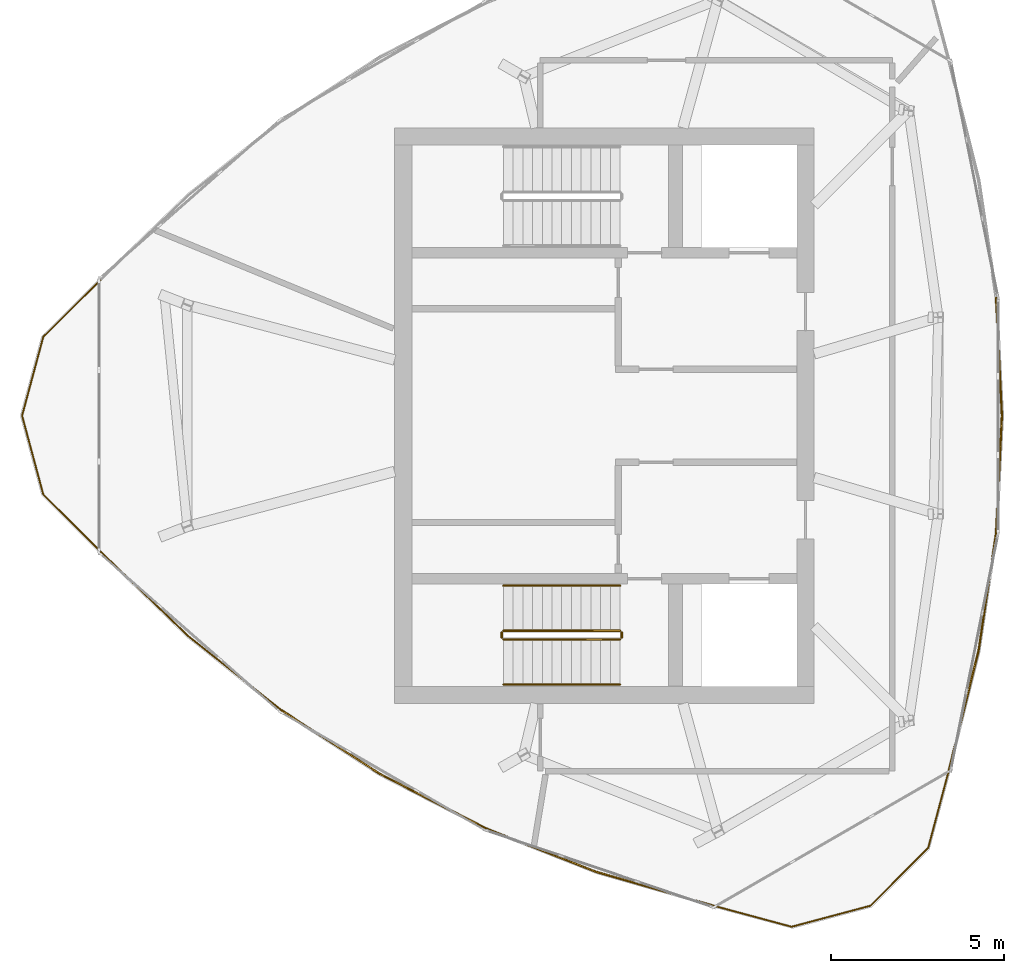
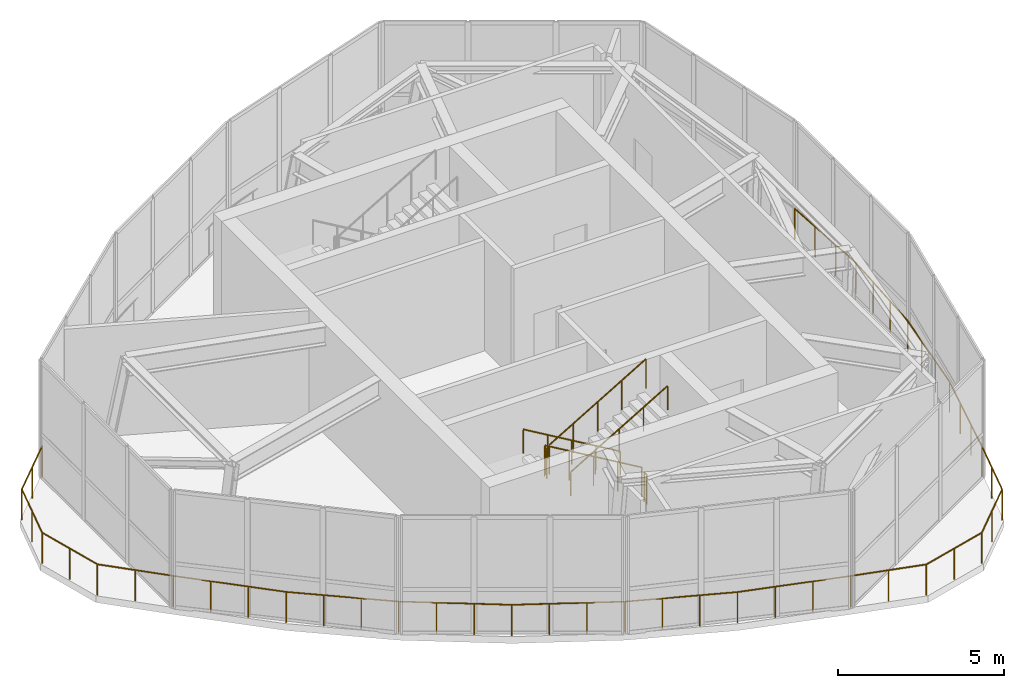
# One storey, part 8 of 9: 13 railings.
"""IFC4 building model written with IfcOpenShell, lengths in metres."""

from ifc_helpers import new_model, si_unit, direction, frame, origin, origin_2d, place, context, subcontext, project, spatial, circle, extrude, source, transform, mapped, material, type_object, element, save


model = new_model("IFC4")

# Units and contexts
model_context = context("Model", 3, precision=1e-05, world=origin(), true_north=direction((0.0, 1.0)))
body_context = subcontext(model_context, "Body", "Model", "MODEL_VIEW")
ifc_project = project(units=[si_unit("LENGTHUNIT", "METRE"), si_unit("AREAUNIT", "SQUARE_METRE"), si_unit("VOLUMEUNIT", "CUBIC_METRE"), si_unit("PLANEANGLEUNIT", "RADIAN"), si_unit("MASSUNIT", "GRAM", prefix="KILO")], contexts=[model_context])

# Site, building, storey
site_placement = place(None, origin())
site = spatial("IfcSite", under=ifc_project, at=site_placement, CompositionType="ELEMENT")
building_placement = place(site_placement, origin())
building = spatial("IfcBuilding", under=site, at=building_placement, Name="Qafzar Sky-Pleat Residences", CompositionType="ELEMENT")
storey_placement = place(building_placement, frame((0.0, 0.0, 266.10009765625)))
storey = spatial("IfcBuildingStorey", under=building, at=storey_placement, Name="L79 Crown", CompositionType="ELEMENT", Elevation=266.10009765625)

# Railings
ifc_material_1 = material(Name="Galvanised and bronze-coated Steel S355 guardrail", Category="steel")
railing_type_1 = type_object("IfcRailingType", Name="RAIL-EXT-1150", PredefinedType="GUARDRAIL", material=ifc_material_1)
shared_shape_1 = source(origin(), body_context, "Body", "SweptSolid", [
    extrude(circle(Radius=0.02392578125, at=origin_2d()), frame((0.0, 0.0, 1.1259765625), z_axis=(-0.708505398598, -0.7057053919, 0.0), x_axis=(0.7057053919, -0.708505398598, 0.0)), (0.0, 0.0, 1.0), 2.354248046875),
    extrude(circle(Radius=0.02392578125, at=origin_2d()), frame((-1.66796875, -1.661376953125, 1.1259765625), z_axis=(-0.25949696957, -0.96574392195, 0.0), x_axis=(0.96574392195, -0.25949696957, 0.0)), (0.0, 0.0, 1.0), 2.35205078125),
    extrude(circle(Radius=0.02392578125, at=origin_2d()), frame((-2.2783203125, -3.932861328125, 1.1259765625), z_axis=(0.25949696957, -0.96574392195, 0.0), x_axis=(0.96574392195, 0.25949696957, 0.0)), (0.0, 0.0, 1.0), 2.35205078125),
    extrude(circle(Radius=0.02392578125, at=origin_2d()), frame((-1.66796875, -6.204345703125, 1.1259765625), z_axis=(0.708505398598, -0.7057053919, 0.0), x_axis=(0.7057053919, 0.708505398598, 0.0)), (0.0, 0.0, 1.0), 2.354248046875),
    extrude(circle(Radius=0.02099609375, at=origin_2d()), origin(), (0.0, 0.0, 1.0), 1.101806640625),
    extrude(circle(Radius=0.02099609375, at=origin_2d()), frame((-0.833984375, -0.83056640625, 0.0)), (0.0, 0.0, 1.0), 1.101806640625),
    extrude(circle(Radius=0.02099609375, at=origin_2d()), frame((-1.66796875, -1.661376953125, 0.0)), (0.0, 0.0, 1.0), 1.101806640625),
    extrude(circle(Radius=0.02099609375, at=origin_2d()), frame((-1.97314453125, -2.797119140625, 0.0)), (0.0, 0.0, 1.0), 1.101806640625),
    extrude(circle(Radius=0.02099609375, at=origin_2d()), frame((-2.2783203125, -3.932861328125, 0.0)), (0.0, 0.0, 1.0), 1.101806640625),
    extrude(circle(Radius=0.02099609375, at=origin_2d()), frame((-1.97314453125, -5.068603515625, 0.0)), (0.0, 0.0, 1.0), 1.101806640625),
    extrude(circle(Radius=0.02099609375, at=origin_2d()), frame((-1.66796875, -6.204345703125, 0.0)), (0.0, 0.0, 1.0), 1.101806640625),
    extrude(circle(Radius=0.02099609375, at=origin_2d()), frame((-0.833984375, -7.03515625, 0.0)), (0.0, 0.0, 1.0), 1.101806640625),
    extrude(circle(Radius=0.02099609375, at=origin_2d()), frame((0.0, -7.86572265625, 0.0)), (0.0, 0.0, 1.0), 1.101806640625),
])
railing_1_placement = place(storey_placement, frame((15.841064453125, 29.932861328125, 0.0)))
element("IfcRailing", 1, at=railing_1_placement, inside=storey, type_object=railing_type_1, Name="L79 Crown Corner Maintenance Guardrail 1", PredefinedType="GUARDRAIL", context=body_context, shape_type="MappedRepresentation", body=[
    mapped(shared_shape_1, transform((0.0, 0.0, 0.0), x_axis=(1.0, 0.0, 0.0), y_axis=(0.0, 1.0, 0.0), z_axis=(0.0, 0.0, 1.0), scale=1.0)),
])
shared_shape_2 = source(origin(), body_context, "Body", "SweptSolid", [
    extrude(circle(Radius=0.02392578125, at=origin_2d()), frame((0.0, 0.0, 1.1259765625), z_axis=(0.720037312382, -0.693935349134, 0.0), x_axis=(0.693935349134, 0.720037312382, 0.0)), (0.0, 0.0, 1.0), 3.498046875),
    extrude(circle(Radius=0.02392578125, at=origin_2d()), frame((2.518798828125, -2.427490234375, 1.1259765625), z_axis=(0.78278945706, -0.622286642887, 0.0), x_axis=(0.622286642887, 0.78278945706, 0.0)), (0.0, 0.0, 1.0), 3.428466796875),
    extrude(circle(Radius=0.02099609375, at=origin_2d()), origin(), (0.0, 0.0, 1.0), 1.101806640625),
    extrude(circle(Radius=0.02099609375, at=origin_2d()), frame((0.839599609375, -0.80908203125, 0.0)), (0.0, 0.0, 1.0), 1.101806640625),
    extrude(circle(Radius=0.02099609375, at=origin_2d()), frame((1.67919921875, -1.618408203125, 0.0)), (0.0, 0.0, 1.0), 1.101806640625),
    extrude(circle(Radius=0.02099609375, at=origin_2d()), frame((2.518798828125, -2.427490234375, 0.0)), (0.0, 0.0, 1.0), 1.101806640625),
    extrude(circle(Radius=0.02099609375, at=origin_2d()), frame((3.413330078125, -3.138671875, 0.0)), (0.0, 0.0, 1.0), 1.101806640625),
    extrude(circle(Radius=0.02099609375, at=origin_2d()), frame((4.30810546875, -3.849853515625, 0.0)), (0.0, 0.0, 1.0), 1.101806640625),
    extrude(circle(Radius=0.02099609375, at=origin_2d()), frame((5.20263671875, -4.56103515625, 0.0)), (0.0, 0.0, 1.0), 1.101806640625),
])
railing_2_placement = place(storey_placement, frame((15.841064453125, 22.067138671875, 0.0)))
element("IfcRailing", 2, at=railing_2_placement, inside=storey, type_object=railing_type_1, Name="L79 Crown Corner Maintenance Guardrail 2", PredefinedType="GUARDRAIL", context=body_context, shape_type="MappedRepresentation", body=[
    mapped(shared_shape_2, transform((0.0, 0.0, 0.0), x_axis=(1.0, 0.0, 0.0), y_axis=(0.0, 1.0, 0.0), z_axis=(0.0, 0.0, 1.0), scale=1.0)),
])
shared_shape_3 = source(origin(), body_context, "Body", "SweptSolid", [
    extrude(circle(Radius=0.02392578125, at=origin_2d()), frame((0.0, 0.0, 1.1259765625), z_axis=(0.839867229663, -0.542791890634, 0.0), x_axis=(0.542791890634, 0.839867229663, 0.0)), (0.0, 0.0, 1.0), 3.39404296875),
    extrude(circle(Radius=0.02392578125, at=origin_2d()), frame((2.8505859375, -1.84228515625, 1.1259765625), z_axis=(0.889352953886, -0.457221306824, 0.0), x_axis=(0.457221306824, 0.889352953886, 0.0)), (0.0, 0.0, 1.0), 3.39599609375),
    extrude(circle(Radius=0.02099609375, at=origin_2d()), origin(), (0.0, 0.0, 1.0), 1.101806640625),
    extrude(circle(Radius=0.02099609375, at=origin_2d()), frame((0.9501953125, -0.614013671875, 0.0)), (0.0, 0.0, 1.0), 1.101806640625),
    extrude(circle(Radius=0.02099609375, at=origin_2d()), frame((1.900390625, -1.228271484375, 0.0)), (0.0, 0.0, 1.0), 1.101806640625),
    extrude(circle(Radius=0.02099609375, at=origin_2d()), frame((2.8505859375, -1.84228515625, 0.0)), (0.0, 0.0, 1.0), 1.101806640625),
    extrude(circle(Radius=0.02099609375, at=origin_2d()), frame((3.857421875, -2.35986328125, 0.0)), (0.0, 0.0, 1.0), 1.101806640625),
    extrude(circle(Radius=0.02099609375, at=origin_2d()), frame((4.864013671875, -2.87744140625, 0.0)), (0.0, 0.0, 1.0), 1.101806640625),
    extrude(circle(Radius=0.02099609375, at=origin_2d()), frame((5.870849609375, -3.39501953125, 0.0)), (0.0, 0.0, 1.0), 1.101806640625),
])
railing_3_placement = place(storey_placement, frame((21.043701171875, 17.506103515625, 0.0)))
element("IfcRailing", 3, at=railing_3_placement, inside=storey, type_object=railing_type_1, Name="L79 Crown Corner Maintenance Guardrail 3", PredefinedType="GUARDRAIL", context=body_context, shape_type="MappedRepresentation", body=[
    mapped(shared_shape_3, transform((0.0, 0.0, 0.0), x_axis=(1.0, 0.0, 0.0), y_axis=(0.0, 1.0, 0.0), z_axis=(0.0, 0.0, 1.0), scale=1.0)),
])
shared_shape_4 = source(origin(), body_context, "Body", "SweptSolid", [
    extrude(circle(Radius=0.02392578125, at=origin_2d()), frame((0.0, 0.0, 1.1259765625), z_axis=(0.929965244454, -0.367647445398, 0.0), x_axis=(0.367647445398, 0.929965244454, 0.0)), (0.0, 0.0, 1.0), 3.4326171875),
    extrude(circle(Radius=0.02392578125, at=origin_2d()), frame((3.192138671875, -1.261962890625, 1.1259765625), z_axis=(0.960929895906, -0.276791862516, 0.0), x_axis=(0.276791862516, 0.960929895906, 0.0)), (0.0, 0.0, 1.0), 3.502685546875),
    extrude(circle(Radius=0.02099609375, at=origin_2d()), origin(), (0.0, 0.0, 1.0), 1.101806640625),
    extrude(circle(Radius=0.02099609375, at=origin_2d()), frame((1.06396484375, -0.420654296875, 0.0)), (0.0, 0.0, 1.0), 1.101806640625),
    extrude(circle(Radius=0.02099609375, at=origin_2d()), frame((2.128173828125, -0.84130859375, 0.0)), (0.0, 0.0, 1.0), 1.101806640625),
    extrude(circle(Radius=0.02099609375, at=origin_2d()), frame((3.192138671875, -1.261962890625, 0.0)), (0.0, 0.0, 1.0), 1.101806640625),
    extrude(circle(Radius=0.02099609375, at=origin_2d()), frame((4.31396484375, -1.585205078125, 0.0)), (0.0, 0.0, 1.0), 1.101806640625),
    extrude(circle(Radius=0.02099609375, at=origin_2d()), frame((5.43603515625, -1.908203125, 0.0)), (0.0, 0.0, 1.0), 1.101806640625),
    extrude(circle(Radius=0.02099609375, at=origin_2d()), frame((6.557861328125, -2.2314453125, 0.0)), (0.0, 0.0, 1.0), 1.101806640625),
])
railing_4_placement = place(storey_placement, frame((26.91455078125, 14.111083984375, 0.0)))
element("IfcRailing", 4, at=railing_4_placement, inside=storey, type_object=railing_type_1, Name="L79 Crown Corner Maintenance Guardrail 4", PredefinedType="GUARDRAIL", context=body_context, shape_type="MappedRepresentation", body=[
    mapped(shared_shape_4, transform((0.0, 0.0, 0.0), x_axis=(1.0, 0.0, 0.0), y_axis=(0.0, 1.0, 0.0), z_axis=(0.0, 0.0, 1.0), scale=1.0)),
])
shared_shape_5 = source(origin(), body_context, "Body", "SweptSolid", [
    extrude(circle(Radius=0.02392578125, at=origin_2d()), frame((0.0, 0.0, 1.1259765625), z_axis=(0.965451502864, -0.260582799925, 0.0), x_axis=(0.260582799925, 0.965451502864, 0.0)), (0.0, 0.0, 1.0), 2.356201171875),
    extrude(circle(Radius=0.02392578125, at=origin_2d()), frame((2.27490234375, -0.614013671875, 1.1259765625), z_axis=(0.966171227212, 0.25790145348, 0.0), x_axis=(-0.25790145348, 0.966171227212, 0.0)), (0.0, 0.0, 1.0), 2.354248046875),
    extrude(circle(Radius=0.02392578125, at=origin_2d()), frame((4.549560546875, -0.0068359375, 1.1259765625), z_axis=(0.706899296816, 0.707314204694, 0.0), x_axis=(-0.707314204694, 0.706899296816, 0.0)), (0.0, 0.0, 1.0), 2.353759765625),
    extrude(circle(Radius=0.02392578125, at=origin_2d()), frame((6.21337890625, 1.657958984375, 1.1259765625), z_axis=(0.257288416688, 0.966334657682, 0.0), x_axis=(-0.966334657682, 0.257288416688, 0.0)), (0.0, 0.0, 1.0), 2.355224609375),
    extrude(circle(Radius=0.02099609375, at=origin_2d()), origin(), (0.0, 0.0, 1.0), 1.101806640625),
    extrude(circle(Radius=0.02099609375, at=origin_2d()), frame((1.137451171875, -0.30712890625, 0.0)), (0.0, 0.0, 1.0), 1.101806640625),
    extrude(circle(Radius=0.02099609375, at=origin_2d()), frame((2.27490234375, -0.614013671875, 0.0)), (0.0, 0.0, 1.0), 1.101806640625),
    extrude(circle(Radius=0.02099609375, at=origin_2d()), frame((3.412109375, -0.310546875, 0.0)), (0.0, 0.0, 1.0), 1.101806640625),
    extrude(circle(Radius=0.02099609375, at=origin_2d()), frame((4.549560546875, -0.0068359375, 0.0)), (0.0, 0.0, 1.0), 1.101806640625),
    extrude(circle(Radius=0.02099609375, at=origin_2d()), frame((5.38134765625, 0.82568359375, 0.0)), (0.0, 0.0, 1.0), 1.101806640625),
    extrude(circle(Radius=0.02099609375, at=origin_2d()), frame((6.21337890625, 1.657958984375, 0.0)), (0.0, 0.0, 1.0), 1.101806640625),
    extrude(circle(Radius=0.02099609375, at=origin_2d()), frame((6.516357421875, 2.7958984375, 0.0)), (0.0, 0.0, 1.0), 1.101806640625),
    extrude(circle(Radius=0.02099609375, at=origin_2d()), frame((6.8193359375, 3.933837890625, 0.0)), (0.0, 0.0, 1.0), 1.101806640625),
])
railing_5_placement = place(storey_placement, frame((33.472412109375, 11.879638671875, 0.0)))
element("IfcRailing", 5, at=railing_5_placement, inside=storey, type_object=railing_type_1, Name="L79 Crown Corner Maintenance Guardrail 5", PredefinedType="GUARDRAIL", context=body_context, shape_type="MappedRepresentation", body=[
    mapped(shared_shape_5, transform((0.0, 0.0, 0.0), x_axis=(1.0, 0.0, 0.0), y_axis=(0.0, 1.0, 0.0), z_axis=(0.0, 0.0, 1.0), scale=1.0)),
])
shared_shape_6 = source(origin(), body_context, "Body", "SweptSolid", [
    extrude(circle(Radius=0.02392578125, at=origin_2d()), frame((0.0, 0.0, 1.1259765625), z_axis=(0.241354046334, 0.970437130534, 0.0), x_axis=(-0.970437130534, 0.241354046334, 0.0)), (0.0, 0.0, 1.0), 3.5009765625),
    extrude(circle(Radius=0.02392578125, at=origin_2d()), frame((0.844970703125, 3.3974609375, 1.1259765625), z_axis=(0.147502265251, 0.989061717865, 0.0), x_axis=(-0.989061717865, 0.147502265251, 0.0)), (0.0, 0.0, 1.0), 3.432861328125),
    extrude(circle(Radius=0.02099609375, at=origin_2d()), origin(), (0.0, 0.0, 1.0), 1.101806640625),
    extrude(circle(Radius=0.02099609375, at=origin_2d()), frame((0.28173828125, 1.132568359375, 0.0)), (0.0, 0.0, 1.0), 1.101806640625),
    extrude(circle(Radius=0.02099609375, at=origin_2d()), frame((0.563232421875, 2.264892578125, 0.0)), (0.0, 0.0, 1.0), 1.101806640625),
    extrude(circle(Radius=0.02099609375, at=origin_2d()), frame((0.844970703125, 3.3974609375, 0.0)), (0.0, 0.0, 1.0), 1.101806640625),
    extrude(circle(Radius=0.02099609375, at=origin_2d()), frame((1.013671875, 4.529296875, 0.0)), (0.0, 0.0, 1.0), 1.101806640625),
    extrude(circle(Radius=0.02099609375, at=origin_2d()), frame((1.1826171875, 5.660888671875, 0.0)), (0.0, 0.0, 1.0), 1.101806640625),
    extrude(circle(Radius=0.02099609375, at=origin_2d()), frame((1.351318359375, 6.792724609375, 0.0)), (0.0, 0.0, 1.0), 1.101806640625),
])
railing_6_placement = place(storey_placement, frame((40.291748046875, 15.8134765625, 0.0)))
element("IfcRailing", 6, at=railing_6_placement, inside=storey, type_object=railing_type_1, Name="L79 Crown Corner Maintenance Guardrail 6", PredefinedType="GUARDRAIL", context=body_context, shape_type="MappedRepresentation", body=[
    mapped(shared_shape_6, transform((0.0, 0.0, 0.0), x_axis=(1.0, 0.0, 0.0), y_axis=(0.0, 1.0, 0.0), z_axis=(0.0, 0.0, 1.0), scale=1.0)),
])
shared_shape_7 = source(origin(), body_context, "Body", "SweptSolid", [
    extrude(circle(Radius=0.02392578125, at=origin_2d()), frame((0.0, 0.0, 1.1259765625), z_axis=(0.049647353826, 0.99876680975, 0.0), x_axis=(-0.99876680975, 0.049647353826, 0.0)), (0.0, 0.0, 1.0), 3.39794921875),
    extrude(circle(Radius=0.02392578125, at=origin_2d()), frame((0.168701171875, 3.393798828125, 1.1259765625), z_axis=(-0.049647353826, 0.99876680975, 0.0), x_axis=(-0.99876680975, -0.049647353826, 0.0)), (0.0, 0.0, 1.0), 3.39794921875),
    extrude(circle(Radius=0.02099609375, at=origin_2d()), origin(), (0.0, 0.0, 1.0), 1.101806640625),
    extrude(circle(Radius=0.02099609375, at=origin_2d()), frame((0.05615234375, 1.13134765625, 0.0)), (0.0, 0.0, 1.0), 1.101806640625),
    extrude(circle(Radius=0.02099609375, at=origin_2d()), frame((0.112548828125, 2.262451171875, 0.0)), (0.0, 0.0, 1.0), 1.101806640625),
    extrude(circle(Radius=0.02099609375, at=origin_2d()), frame((0.168701171875, 3.393798828125, 0.0)), (0.0, 0.0, 1.0), 1.101806640625),
    extrude(circle(Radius=0.02099609375, at=origin_2d()), frame((0.112548828125, 4.525146484375, 0.0)), (0.0, 0.0, 1.0), 1.101806640625),
    extrude(circle(Radius=0.02099609375, at=origin_2d()), frame((0.05615234375, 5.65625, 0.0)), (0.0, 0.0, 1.0), 1.101806640625),
    extrude(circle(Radius=0.02099609375, at=origin_2d()), frame((0.0, 6.78759765625, 0.0)), (0.0, 0.0, 1.0), 1.101806640625),
])
railing_7_placement = place(storey_placement, frame((41.64306640625, 22.606201171875, 0.0)))
element("IfcRailing", 7, at=railing_7_placement, inside=storey, type_object=railing_type_1, Name="L79 Crown Corner Maintenance Guardrail 7", PredefinedType="GUARDRAIL", context=body_context, shape_type="MappedRepresentation", body=[
    mapped(shared_shape_7, transform((0.0, 0.0, 0.0), x_axis=(1.0, 0.0, 0.0), y_axis=(0.0, 1.0, 0.0), z_axis=(0.0, 0.0, 1.0), scale=1.0)),
])
ifc_material_2 = material(Name="Painted Steel S355 stair guardrail", Category="steel")
railing_type_2 = type_object("IfcRailingType", Name="RAIL-STAIR-GUARD", PredefinedType="GUARDRAIL", material=ifc_material_2)
shared_shape_8 = source(origin(), body_context, "Body", "SweptSolid", [
    extrude(circle(Radius=0.02392578125, at=origin_2d()), frame((0.0, 0.0, 1.076171875), z_axis=(0.0, -1.0, 0.0), x_axis=(1.0, 0.0, 0.0)), (0.0, 0.0, 1.0), 0.14990234375),
    extrude(circle(Radius=0.02099609375, at=origin_2d()), origin(), (0.0, 0.0, 1.0), 1.052001953125),
    extrude(circle(Radius=0.02099609375, at=origin_2d()), frame((0.0, -0.14990234375, 0.0)), (0.0, 0.0, 1.0), 1.052001953125),
])
for number, where, name in (
    (8, (27.389892578125, 19.75, 2.14990234375), "L79 Crown ST1 stair guard 2"),
    (9, (30.85009765625, 19.75, 0.0), "L79 Crown ST1 stair guard 4"),
):
    element("IfcRailing", number, at=place(storey_placement, frame(where)), inside=storey, type_object=railing_type_2, Name=name, PredefinedType="GUARDRAIL", context=body_context, shape_type="MappedRepresentation", body=[
        mapped(shared_shape_8, transform((0.0, 0.0, 0.0), x_axis=(1.0, 0.0, 0.0), y_axis=(0.0, 1.0, 0.0), z_axis=(0.0, 0.0, 1.0), scale=1.0)),
    ])
shared_shape_9 = source(origin(), body_context, "Body", "SweptSolid", [
    extrude(circle(Radius=0.02392578125, at=origin_2d()), frame((0.0, 0.0, 1.076171875), z_axis=(-0.861027394533, 0.0, 0.50855857663), x_axis=(0.0, -1.0, 0.0)), (0.0, 0.0, 1.0), 3.90234375),
    extrude(circle(Radius=0.02099609375, at=origin_2d()), origin(), (0.0, 0.0, 1.0), 1.052001953125),
    extrude(circle(Radius=0.02099609375, at=origin_2d()), frame((-0.840087890625, 0.0, 0.49609375)), (0.0, 0.0, 1.0), 1.052001953125),
    extrude(circle(Radius=0.02099609375, at=origin_2d()), frame((-1.68017578125, 0.0, 0.9921875)), (0.0, 0.0, 1.0), 1.052001953125),
    extrude(circle(Radius=0.02099609375, at=origin_2d()), frame((-2.52001953125, 0.0, 1.488525390625)), (0.0, 0.0, 1.0), 1.052001953125),
    extrude(circle(Radius=0.02099609375, at=origin_2d()), frame((-3.360107421875, 0.0, 1.984619140625)), (0.0, 0.0, 1.0), 1.052001953125),
])
railing_8_placement = place(storey_placement, frame((30.800048828125, 19.800048828125, 0.165283203125)))
element("IfcRailing", 10, at=railing_8_placement, inside=storey, type_object=railing_type_2, Name="L79 Crown ST1 stair guard 1", PredefinedType="GUARDRAIL", context=body_context, shape_type="MappedRepresentation", body=[
    mapped(shared_shape_9, transform((0.0, 0.0, 0.0), x_axis=(1.0, 0.0, 0.0), y_axis=(0.0, 1.0, 0.0), z_axis=(0.0, 0.0, 1.0), scale=1.0)),
])
shared_shape_10 = source(origin(), body_context, "Body", "SweptSolid", [
    extrude(circle(Radius=0.02392578125, at=origin_2d()), frame((0.0, 0.0, 1.076171875), z_axis=(0.861027394533, 0.0, 0.50855857663), x_axis=(0.0, 1.0, 0.0)), (0.0, 0.0, 1.0), 3.90234375),
    extrude(circle(Radius=0.02099609375, at=origin_2d()), origin(), (0.0, 0.0, 1.0), 1.052001953125),
    extrude(circle(Radius=0.02099609375, at=origin_2d()), frame((0.840087890625, 0.0, 0.49609375)), (0.0, 0.0, 1.0), 1.052001953125),
    extrude(circle(Radius=0.02099609375, at=origin_2d()), frame((1.68017578125, 0.0, 0.9921875)), (0.0, 0.0, 1.0), 1.052001953125),
    extrude(circle(Radius=0.02099609375, at=origin_2d()), frame((2.52001953125, 0.0, 1.488525390625)), (0.0, 0.0, 1.0), 1.052001953125),
    extrude(circle(Radius=0.02099609375, at=origin_2d()), frame((3.360107421875, 0.0, 1.984619140625)), (0.0, 0.0, 1.0), 1.052001953125),
])
railing_9_placement = place(storey_placement, frame((27.43994140625, 19.550048828125, 2.315185546875)))
element("IfcRailing", 11, at=railing_9_placement, inside=storey, type_object=railing_type_2, Name="L79 Crown ST1 stair guard 3", PredefinedType="GUARDRAIL", context=body_context, shape_type="MappedRepresentation", body=[
    mapped(shared_shape_10, transform((0.0, 0.0, 0.0), x_axis=(1.0, 0.0, 0.0), y_axis=(0.0, 1.0, 0.0), z_axis=(0.0, 0.0, 1.0), scale=1.0)),
])
ifc_material_3 = material(Name="Brushed stainless steel handrail", Category="steel")
railing_type_3 = type_object("IfcRailingType", Name="RAIL-STAIR-HAND", PredefinedType="HANDRAIL", material=ifc_material_3)
shared_shape_11 = source(origin(), body_context, "Body", "SweptSolid", [
    extrude(circle(Radius=0.02392578125, at=origin_2d()), frame((0.0, 0.0, 0.8759765625), z_axis=(-0.861027394533, 0.0, 0.50855857663), x_axis=(0.0, -1.0, 0.0)), (0.0, 0.0, 1.0), 3.90234375),
    extrude(circle(Radius=0.02099609375, at=origin_2d()), origin(), (0.0, 0.0, 1.0), 0.851806640625),
    extrude(circle(Radius=0.02099609375, at=origin_2d()), frame((-0.840087890625, 0.0, 0.49609375)), (0.0, 0.0, 1.0), 0.851806640625),
    extrude(circle(Radius=0.02099609375, at=origin_2d()), frame((-1.68017578125, 0.0, 0.9921875)), (0.0, 0.0, 1.0), 0.851806640625),
    extrude(circle(Radius=0.02099609375, at=origin_2d()), frame((-2.52001953125, 0.0, 1.488525390625)), (0.0, 0.0, 1.0), 0.851806640625),
    extrude(circle(Radius=0.02099609375, at=origin_2d()), frame((-3.360107421875, 0.0, 1.984619140625)), (0.0, 0.0, 1.0), 0.851806640625),
])
railing_10_placement = place(storey_placement, frame((30.800048828125, 21.10009765625, 0.165283203125)))
element("IfcRailing", 12, at=railing_10_placement, inside=storey, type_object=railing_type_3, Name="L79 Crown ST1 stair handrail 1", PredefinedType="HANDRAIL", context=body_context, shape_type="MappedRepresentation", body=[
    mapped(shared_shape_11, transform((0.0, 0.0, 0.0), x_axis=(1.0, 0.0, 0.0), y_axis=(0.0, 1.0, 0.0), z_axis=(0.0, 0.0, 1.0), scale=1.0)),
])
shared_shape_12 = source(origin(), body_context, "Body", "SweptSolid", [
    extrude(circle(Radius=0.02392578125, at=origin_2d()), frame((0.0, 0.0, 0.8759765625), z_axis=(0.861027394533, 0.0, 0.50855857663), x_axis=(0.0, 1.0, 0.0)), (0.0, 0.0, 1.0), 3.90234375),
    extrude(circle(Radius=0.02099609375, at=origin_2d()), origin(), (0.0, 0.0, 1.0), 0.851806640625),
    extrude(circle(Radius=0.02099609375, at=origin_2d()), frame((0.840087890625, 0.0, 0.49609375)), (0.0, 0.0, 1.0), 0.851806640625),
    extrude(circle(Radius=0.02099609375, at=origin_2d()), frame((1.68017578125, 0.0, 0.9921875)), (0.0, 0.0, 1.0), 0.851806640625),
    extrude(circle(Radius=0.02099609375, at=origin_2d()), frame((2.52001953125, 0.0, 1.488525390625)), (0.0, 0.0, 1.0), 0.851806640625),
    extrude(circle(Radius=0.02099609375, at=origin_2d()), frame((3.360107421875, 0.0, 1.984619140625)), (0.0, 0.0, 1.0), 0.851806640625),
])
railing_11_placement = place(storey_placement, frame((27.43994140625, 18.25, 2.315185546875)))
element("IfcRailing", 13, at=railing_11_placement, inside=storey, type_object=railing_type_3, Name="L79 Crown ST1 stair handrail 2", PredefinedType="HANDRAIL", context=body_context, shape_type="MappedRepresentation", body=[
    mapped(shared_shape_12, transform((0.0, 0.0, 0.0), x_axis=(1.0, 0.0, 0.0), y_axis=(0.0, 1.0, 0.0), z_axis=(0.0, 0.0, 1.0), scale=1.0)),
])

save(model, "model.ifc")
